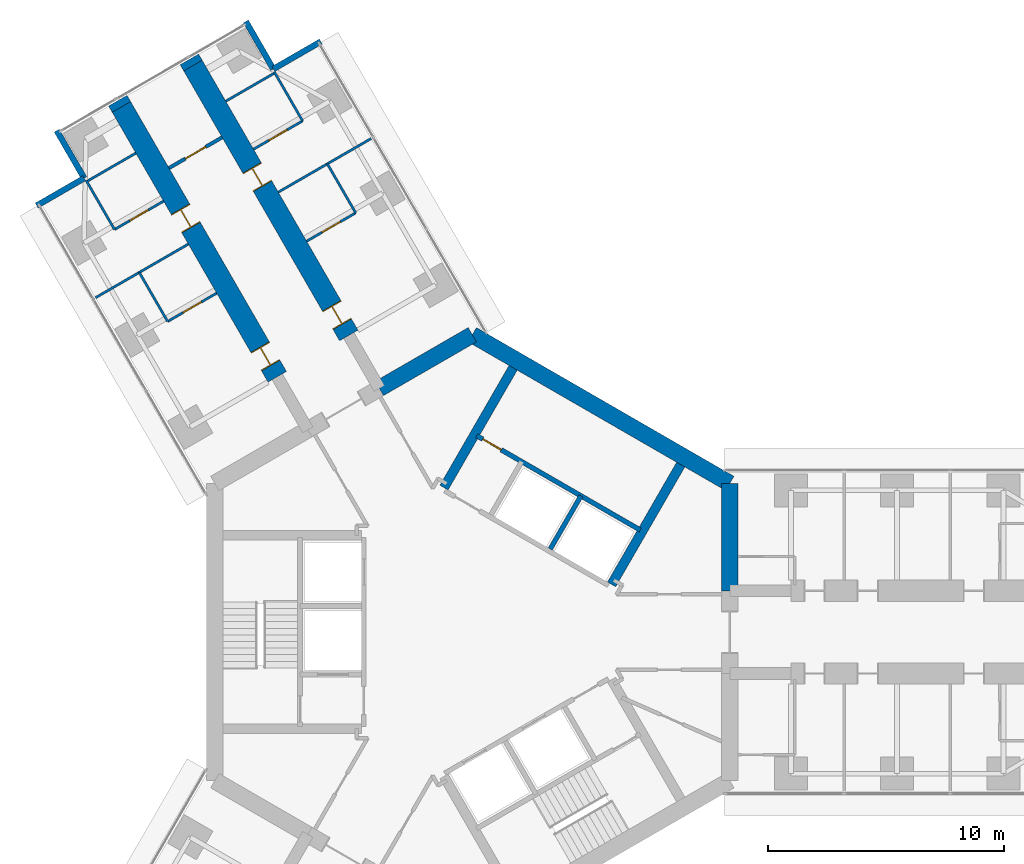
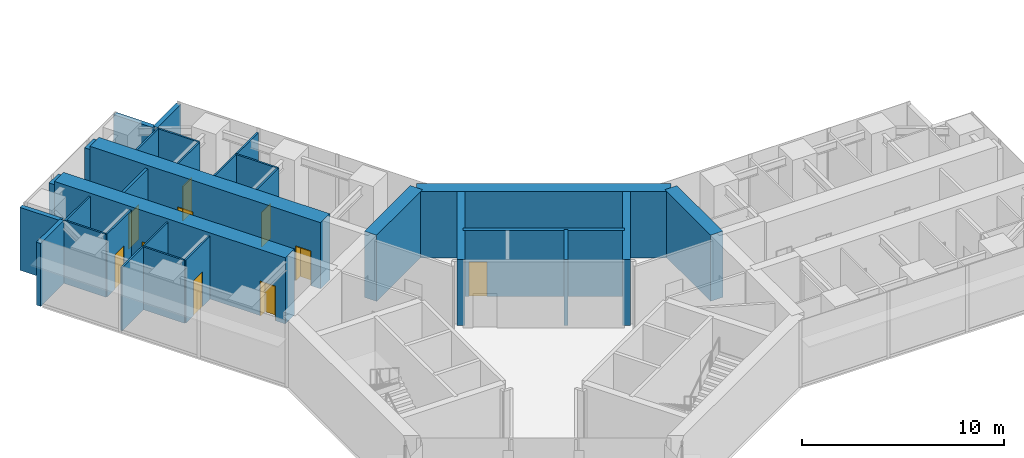
# One storey, part 19 of 25: 28 walls, 10 doors, 10 openings.
"""IFC4 building model written with IfcOpenShell, lengths in metres."""

import ifcopenshell
import ifcopenshell.guid

model = None  # the IFC model being written
_history = None  # IfcOwnerHistory: only IFC2X3 demands one
_inside = {}  # id of a spatial element -> (the spatial element, [elements in it])
_under = {}  # id of a project, library or spatial element -> (it, [spatial elements below it])
_declared = {}  # id of a project -> (the project, [libraries it declares])
_typed = {}  # id of a type object -> (the type object, [elements of that type])
_made_of = {}  # id of a material, layer set ... -> (it, [elements and type objects made of it])


def new_model(schema):
    """Start an empty IFC model of exactly this schema.

    Asked for "IFC4X3", IfcOpenShell would pick the latest addendum, in which some entities
    have other attributes; the version numbers below select the first issue.
    IFC2X3 requires an IfcOwnerHistory on every rooted entity: one is made here for all.
    """
    global model, _history
    if schema == "IFC4X3":
        model = ifcopenshell.file(schema_version=(4, 3, 0, 0))
    else:
        model = ifcopenshell.file(schema=schema)
    _inside.clear()
    _under.clear()
    _declared.clear()
    _typed.clear()
    _made_of.clear()
    _history = None
    if model.schema == "IFC2X3":
        org = make("IfcOrganization", Name="unknown")
        user = make(
            "IfcPersonAndOrganization",
            ThePerson=make("IfcPerson", FamilyName="unknown"),
            TheOrganization=org,
        )
        app = make(
            "IfcApplication",
            ApplicationDeveloper=org,
            Version="unknown",
            ApplicationFullName="unknown",
            ApplicationIdentifier="unknown",
        )
        _history = make(
            "IfcOwnerHistory",
            OwningUser=user,
            OwningApplication=app,
            ChangeAction="ADDED",
            CreationDate=0,
        )
    return model


def make(cls, **values):
    """One entity of the class cls with the attributes given. An attribute that is None is left unset."""
    return model.create_entity(
        cls, **{name: value for name, value in values.items() if value is not None}
    )


def rooted(cls, **values):
    """An entity with a GlobalId (a new one), such as an element, a storey or a relation."""
    return make(cls, GlobalId=ifcopenshell.guid.new(), OwnerHistory=_history, **values)


def si_unit(unit_type, name, prefix=None):
    """IfcSIUnit, for example si_unit("LENGTHUNIT", "METRE", prefix="MILLI")."""
    return make("IfcSIUnit", UnitType=unit_type, Prefix=prefix, Name=name)


def assignment(units):
    """IfcUnitAssignment: the units of a project."""
    return None if units is None else make("IfcUnitAssignment", Units=units)


def point(xyz):
    """IfcCartesianPoint."""
    return None if xyz is None else make("IfcCartesianPoint", Coordinates=xyz)


def direction(xyz):
    """IfcDirection."""
    return None if xyz is None else make("IfcDirection", DirectionRatios=xyz)


def frame(location, z_axis=None, x_axis=None):
    """IfcAxis2Placement3D, a coordinate frame: its origin and axes. An axis left out is left unset."""
    return make(
        "IfcAxis2Placement3D",
        Location=point(location),
        Axis=direction(z_axis),
        RefDirection=direction(x_axis),
    )


def frame_2d(location, x_axis=None):
    """IfcAxis2Placement2D, a coordinate frame in the plane: its origin and x axis."""
    return make(
        "IfcAxis2Placement2D", Location=point(location), RefDirection=direction(x_axis)
    )


def origin():
    """The frame at (0, 0, 0) with its axes left unset."""
    return frame((0.0, 0.0, 0.0))


def place(relative_to, where):
    """IfcLocalPlacement: puts the frame where relative to a parent placement (None: the world)."""
    return make(
        "IfcLocalPlacement", PlacementRelTo=relative_to, RelativePlacement=where
    )


def context(
    kind, dimensions, precision=None, world=None, true_north=None, identifier=None
):
    """IfcGeometricRepresentationContext, for example the 3D "Model" context."""
    return make(
        "IfcGeometricRepresentationContext",
        ContextIdentifier=identifier,
        ContextType=kind,
        CoordinateSpaceDimension=dimensions,
        Precision=precision,
        WorldCoordinateSystem=world,
        TrueNorth=true_north,
    )


def subcontext(parent, identifier, kind, view, scale=None):
    """IfcGeometricRepresentationSubContext, for example "Body" below "Model"."""
    return make(
        "IfcGeometricRepresentationSubContext",
        ContextIdentifier=identifier,
        ContextType=kind,
        ParentContext=parent,
        TargetScale=scale,
        TargetView=view,
    )


def project(units=None, contexts=None):
    """IfcProject with its units and contexts."""
    return rooted(
        "IfcProject",
        Name="project",
        RepresentationContexts=contexts,
        UnitsInContext=assignment(units),
    )


def spatial(cls, under=None, at=None, **own):
    """A site, building, storey or space (cls), placed at a placement, below another one or the project."""
    s = rooted(cls, ObjectPlacement=at, **own)
    if under is not None:
        _under.setdefault(under.id(), (under, []))[1].append(s)
    return s


def profile(cls, at=None, kind="AREA", **sizes):
    """A parametric profile (cls). Its sizes go by their IFC names, for example OverallWidth=200.0."""
    return make(cls, ProfileType=kind, Position=at, **sizes)


def rectangle(**sizes):
    """IfcRectangleProfileDef."""
    return profile("IfcRectangleProfileDef", **sizes)


def extrude(swept, where, along, depth):
    """IfcExtrudedAreaSolid: the profile swept, set in the frame where, extruded along a direction by depth."""
    return make(
        "IfcExtrudedAreaSolid",
        SweptArea=swept,
        Position=where,
        ExtrudedDirection=direction(along),
        Depth=depth,
    )


def shape(context_of_items, identifier, shape_type, items):
    """IfcShapeRepresentation: the items that make up one representation, for example the "Body"."""
    return make(
        "IfcShapeRepresentation",
        ContextOfItems=context_of_items,
        RepresentationIdentifier=identifier,
        RepresentationType=shape_type,
        Items=items,
    )


def material(Name=None, Category=None):
    """IfcMaterial."""
    return make("IfcMaterial", Name=Name, Category=Category)


def layer(
    of_material, thickness, ventilated=None, Name=None, Category=None, Priority=None
):
    """IfcMaterialLayer: one layer of a wall or slab, of a material (None: an air gap)."""
    return make(
        "IfcMaterialLayer",
        Material=of_material,
        LayerThickness=thickness,
        IsVentilated=ventilated,
        Name=Name,
        Category=Category,
        Priority=Priority,
    )


def layer_set(layers, Name=None):
    """IfcMaterialLayerSet."""
    return make("IfcMaterialLayerSet", MaterialLayers=layers, LayerSetName=Name)


def made_of(thing, what):
    """Note that an element or type object is made of a material, layer set ...; save() writes the relation."""
    if what is not None:
        _made_of.setdefault(what.id(), (what, []))[1].append(thing)
    return thing


def type_object(cls, material=None, **own):
    """A type object (cls), such as IfcWallType, which elements share."""
    return made_of(rooted(cls, **own), material)


def element(
    cls,
    number,
    at=None,
    inside=None,
    cuts=None,
    type_object=None,
    material=None,
    context=None,
    identifier="Body",
    shape_type=None,
    held_by="IfcProductDefinitionShape",
    body=None,
    shapes=None,
    **own,
):
    """One element of the class cls, such as IfcWall. Its Tag is "e" and its number.

    at: its placement. inside: the storey or other place that contains it. cuts: it is an
    opening in that element (IfcRelVoidsElement). A single representation is given by context,
    identifier, shape_type and body (its items); several are given by shapes. held_by: the class
    of the entity that holds the representations. save() writes the other relations.
    """
    e = rooted(cls, Tag="e%d" % number, ObjectPlacement=at, **own)
    if body is not None:
        shapes = [shape(context, identifier, shape_type, body)]
    if shapes is not None:
        e.Representation = make(held_by, Representations=shapes)
    if inside is not None:
        _inside.setdefault(inside.id(), (inside, []))[1].append(e)
    if cuts is not None:
        rooted(
            "IfcRelVoidsElement", RelatingBuildingElement=cuts, RelatedOpeningElement=e
        )
    if type_object is not None:
        _typed.setdefault(type_object.id(), (type_object, []))[1].append(e)
    return made_of(e, material)


def fill(opening, filler):
    """IfcRelFillsElement: the door or window that sits in an opening."""
    return rooted(
        "IfcRelFillsElement",
        RelatingOpeningElement=opening,
        RelatedBuildingElement=filler,
    )


def aggregate(whole, parts):
    """IfcRelAggregates: a whole, such as a stair, and the parts it consists of."""
    return rooted("IfcRelAggregates", RelatingObject=whole, RelatedObjects=parts)


def save(model, path):
    """Write the relations noted so far, then the file.

    IfcRelAggregates (storeys below a building ...), IfcRelContainedInSpatialStructure (elements
    in a storey), IfcRelDefinesByType, IfcRelAssociatesMaterial and IfcRelDeclares: one each for
    every whole, place, type object, material and project.
    """
    for whole, parts in _under.values():
        aggregate(whole, parts)
    for where, things in _inside.values():
        rooted(
            "IfcRelContainedInSpatialStructure",
            RelatedElements=things,
            RelatingStructure=where,
        )
    for kind, things in _typed.values():
        rooted("IfcRelDefinesByType", RelatedObjects=things, RelatingType=kind)
    for what, things in _made_of.values():
        rooted("IfcRelAssociatesMaterial", RelatedObjects=things, RelatingMaterial=what)
    for by, libraries in _declared.values():
        rooted("IfcRelDeclares", RelatingContext=by, RelatedDefinitions=libraries)
    model.write(path)


model = new_model("IFC4")

# Units and contexts
model_context = context("Model", 3, precision=1e-05, world=origin(), true_north=direction((0.0, 1.0)))
body_context = subcontext(model_context, "Body", "Model", "MODEL_VIEW")
ifc_project = project(units=[si_unit("LENGTHUNIT", "METRE"), si_unit("AREAUNIT", "SQUARE_METRE"), si_unit("VOLUMEUNIT", "CUBIC_METRE"), si_unit("PLANEANGLEUNIT", "RADIAN"), si_unit("MASSUNIT", "GRAM", prefix="KILO")], contexts=[model_context])

# Site, building, storey
site_placement = place(None, origin())
site = spatial("IfcSite", under=ifc_project, at=site_placement, CompositionType="ELEMENT")
building_placement = place(site_placement, origin())
building = spatial("IfcBuilding", under=site, at=building_placement, Name="Upepo Twin Towers", CompositionType="ELEMENT")
storey_placement = place(building_placement, frame((0.0, 0.0, 76.5)))
storey = spatial("IfcBuildingStorey", under=building, at=storey_placement, Name="L18", CompositionType="ELEMENT", Elevation=76.5)

# Walls
ifc_material_1 = material(Name="Dense concrete blockwork", Category="masonry")
ifc_layer_1 = layer(ifc_material_1, 0.89990234375)
ifc_layer_set_1 = layer_set([ifc_layer_1], Name="Buttress closer 900, blockwork with fire-stopping to the curtain wall")
wall_type_1 = type_object("IfcWallType", Name="Buttress closer 900, blockwork with fire-stopping to the curtain wall", PredefinedType="PARTITIONING", material=ifc_layer_set_1)
for number, where, z_axis, x_axis, name in (
    (1, (-14.865478515625, 22.247802734375, 0.0), (0.0, 0.0, 1.0), (-0.499949632511, 0.866054481515, 0.0), "T1 L18 wing B buttress closer L"),
    (2, (-11.83447265625, 23.997802734375, 0.0), (0.0, 0.0, 1.0), (-0.499949632511, 0.866054481515, 0.0), "T1 L18 wing B buttress closer R"),
):
    element("IfcWall", number, at=place(storey_placement, frame(where, z_axis=z_axis, x_axis=x_axis)), inside=storey, type_object=wall_type_1, Name=name, PredefinedType="PARTITIONING", context=body_context, shape_type="SweptSolid", body=[
        extrude(rectangle(XDim=0.31005859375, YDim=0.89990234375, at=frame_2d((0.155029296875, 0.0))), origin(), (0.0, 0.0, 1.0), 3.800048828125),
    ])

# Wall, openings, doors
ifc_material_2 = material(Name="Concrete C60/75", Category="concrete")
ifc_layer_2 = layer(ifc_material_2, 0.89990234375)
ifc_layer_set_2 = layer_set([ifc_layer_2], Name="Concrete C60/75")
wall_type_2 = type_object("IfcWallType", Name="Buttress wall 900 RC", PredefinedType="SHEAR", material=ifc_layer_set_2)
wall_1_placement = place(storey_placement, frame((-8.265625, 10.81640625, 0.0), z_axis=(0.0, 0.0, 1.0), x_axis=(-0.499996231654, 0.866027579429, 0.0)))
wall_1 = element("IfcWall", 3, at=wall_1_placement, inside=storey, type_object=wall_type_2, Name="T1 wing B buttress wall L part 2", PredefinedType="SHEAR", context=body_context, shape_type="SweptSolid", body=[
    extrude(rectangle(XDim=13.19970703125, YDim=0.89990234375, at=frame_2d((6.599853515625, 0.0))), origin(), (0.0, 0.0, 1.0), 4.0),
])
opening_1_placement = place(wall_1_placement, frame((0.550048828125, 0.0, 0.0)))
opening_1 = element("IfcOpeningElement", 4, at=opening_1_placement, cuts=wall_1, Name="Opening D14", PredefinedType="OPENING", context=body_context, shape_type="SweptSolid", body=[
    extrude(rectangle(XDim=0.89990234375, YDim=2.10009765625, at=frame_2d((0.449951171875, 1.050048828125))), frame((0.0, 0.4599609375, 0.0), z_axis=(0.0, -1.0, 0.0), x_axis=(1.0, 0.0, 0.0)), (0.0, 0.0, 1.0), 0.919921875),
])
opening_2_placement = place(wall_1_placement, frame((7.300048828125, 0.0, 0.0)))
opening_2 = element("IfcOpeningElement", 5, at=opening_2_placement, cuts=wall_1, Name="Opening D14", PredefinedType="OPENING", context=body_context, shape_type="SweptSolid", body=[
    extrude(rectangle(XDim=0.89990234375, YDim=2.10009765625, at=frame_2d((0.449951171875, 1.050048828125))), frame((0.0, 0.4599609375, 0.0), z_axis=(0.0, -1.0, 0.0), x_axis=(1.0, 0.0, 0.0)), (0.0, 0.0, 1.0), 0.919921875),
])
ifc_material_3 = material(Name="Timber doorset", Category="wood")
door_type_1 = type_object("IfcDoorType", Name="Office door 900 FD30", OperationType="SINGLE_SWING_LEFT", PredefinedType="DOOR", material=ifc_material_3)
door_1_placement = place(opening_1_placement, origin())
door_1 = element("IfcDoor", 6, at=door_1_placement, inside=storey, type_object=door_type_1, Name="T1 L18 open-plan staff office door", OperationType="SINGLE_SWING_LEFT", OverallHeight=2.10009765625, OverallWidth=0.89990234375, PredefinedType="DOOR", context=body_context, shape_type="SweptSolid", body=[
    extrude(rectangle(XDim=0.81990234375, YDim=2.06009765625, at=frame_2d((0.449951171875, 1.030029296875))), frame((0.0, 0.02490234375, 0.0), z_axis=(0.0, -1.0, 0.0), x_axis=(1.0, 0.0, 0.0)), (0.0, 0.0, 1.0), 0.050048828125),
    extrude(rectangle(XDim=0.04, YDim=2.10009765625, at=frame_2d((0.02001953125, 1.050048828125))), frame((0.0, 0.44970703125, 0.0), z_axis=(0.0, -1.0, 0.0), x_axis=(1.0, 0.0, 0.0)), (0.0, 0.0, 1.0), 0.8994140625),
    extrude(rectangle(XDim=0.04, YDim=2.10009765625, at=frame_2d((0.8798828125, 1.050048828125))), frame((0.0, 0.44970703125, 0.0), z_axis=(0.0, -1.0, 0.0), x_axis=(1.0, 0.0, 0.0)), (0.0, 0.0, 1.0), 0.8994140625),
    extrude(rectangle(XDim=0.81990234375, YDim=0.04, at=frame_2d((0.449951171875, 2.080078125))), frame((0.0, 0.44970703125, 0.0), z_axis=(0.0, -1.0, 0.0), x_axis=(1.0, 0.0, 0.0)), (0.0, 0.0, 1.0), 0.8994140625),
])
fill(opening_1, door_1)
door_2_placement = place(opening_2_placement, origin())
door_2 = element("IfcDoor", 7, at=door_2_placement, inside=storey, type_object=door_type_1, Name="T1 L18 staff office door", OperationType="SINGLE_SWING_RIGHT", OverallHeight=2.10009765625, OverallWidth=0.89990234375, PredefinedType="DOOR", context=body_context, shape_type="SweptSolid", body=[
    extrude(rectangle(XDim=0.81990234375, YDim=2.06009765625, at=frame_2d((0.449951171875, 1.030029296875))), frame((0.0, 0.02490234375, 0.0), z_axis=(0.0, -1.0, 0.0), x_axis=(1.0, 0.0, 0.0)), (0.0, 0.0, 1.0), 0.050048828125),
    extrude(rectangle(XDim=0.04, YDim=2.10009765625, at=frame_2d((0.02001953125, 1.050048828125))), frame((0.0, 0.44970703125, 0.0), z_axis=(0.0, -1.0, 0.0), x_axis=(1.0, 0.0, 0.0)), (0.0, 0.0, 1.0), 0.8994140625),
    extrude(rectangle(XDim=0.04, YDim=2.10009765625, at=frame_2d((0.8798828125, 1.050048828125))), frame((0.0, 0.44970703125, 0.0), z_axis=(0.0, -1.0, 0.0), x_axis=(1.0, 0.0, 0.0)), (0.0, 0.0, 1.0), 0.8994140625),
    extrude(rectangle(XDim=0.81990234375, YDim=0.04, at=frame_2d((0.449951171875, 2.080078125))), frame((0.0, 0.44970703125, 0.0), z_axis=(0.0, -1.0, 0.0), x_axis=(1.0, 0.0, 0.0)), (0.0, 0.0, 1.0), 0.8994140625),
])
fill(opening_2, door_2)

wall_2_placement = place(storey_placement, frame((-5.234375, 12.56640625, 0.0), z_axis=(0.0, 0.0, 1.0), x_axis=(-0.500010103361, 0.866019570528, 0.0)))
wall_2 = element("IfcWall", 8, at=wall_2_placement, inside=storey, type_object=wall_type_2, Name="T1 wing B buttress wall R part 2", PredefinedType="SHEAR", context=body_context, shape_type="SweptSolid", body=[
    extrude(rectangle(XDim=13.199951171875, YDim=0.89990234375, at=frame_2d((6.60009765625, 0.0))), origin(), (0.0, 0.0, 1.0), 4.0),
])
opening_3_placement = place(wall_2_placement, frame((0.550048828125, 0.0, 0.0)))
opening_3 = element("IfcOpeningElement", 9, at=opening_3_placement, cuts=wall_2, Name="Opening D14", PredefinedType="OPENING", context=body_context, shape_type="SweptSolid", body=[
    extrude(rectangle(XDim=0.89990234375, YDim=2.10009765625, at=frame_2d((0.449951171875, 1.050048828125))), frame((0.0, 0.4599609375, 0.0), z_axis=(0.0, -1.0, 0.0), x_axis=(1.0, 0.0, 0.0)), (0.0, 0.0, 1.0), 0.919921875),
])
opening_4_placement = place(wall_2_placement, frame((7.300048828125, 0.0, 0.0)))
opening_4 = element("IfcOpeningElement", 10, at=opening_4_placement, cuts=wall_2, Name="Opening D14", PredefinedType="OPENING", context=body_context, shape_type="SweptSolid", body=[
    extrude(rectangle(XDim=0.89990234375, YDim=2.10009765625, at=frame_2d((0.449951171875, 1.050048828125))), frame((0.0, 0.4599609375, 0.0), z_axis=(0.0, -1.0, 0.0), x_axis=(1.0, 0.0, 0.0)), (0.0, 0.0, 1.0), 0.919921875),
])
door_3_placement = place(opening_3_placement, origin())
door_3 = element("IfcDoor", 11, at=door_3_placement, inside=storey, type_object=door_type_1, Name="T1 L18 open-plan staff office door", OperationType="SINGLE_SWING_LEFT", OverallHeight=2.10009765625, OverallWidth=0.89990234375, PredefinedType="DOOR", context=body_context, shape_type="SweptSolid", body=[
    extrude(rectangle(XDim=0.81990234375, YDim=2.06009765625, at=frame_2d((0.449951171875, 1.030029296875))), frame((0.0, 0.02490234375, 0.0), z_axis=(0.0, -1.0, 0.0), x_axis=(1.0, 0.0, 0.0)), (0.0, 0.0, 1.0), 0.050048828125),
    extrude(rectangle(XDim=0.04, YDim=2.10009765625, at=frame_2d((0.02001953125, 1.050048828125))), frame((0.0, 0.44970703125, 0.0), z_axis=(0.0, -1.0, 0.0), x_axis=(1.0, 0.0, 0.0)), (0.0, 0.0, 1.0), 0.8994140625),
    extrude(rectangle(XDim=0.04, YDim=2.10009765625, at=frame_2d((0.8798828125, 1.050048828125))), frame((0.0, 0.44970703125, 0.0), z_axis=(0.0, -1.0, 0.0), x_axis=(1.0, 0.0, 0.0)), (0.0, 0.0, 1.0), 0.8994140625),
    extrude(rectangle(XDim=0.81990234375, YDim=0.04, at=frame_2d((0.449951171875, 2.080078125))), frame((0.0, 0.44970703125, 0.0), z_axis=(0.0, -1.0, 0.0), x_axis=(1.0, 0.0, 0.0)), (0.0, 0.0, 1.0), 0.8994140625),
])
fill(opening_3, door_3)
door_4_placement = place(opening_4_placement, origin())
door_4 = element("IfcDoor", 12, at=door_4_placement, inside=storey, type_object=door_type_1, Name="T1 L18 postgraduate office door", OperationType="SINGLE_SWING_RIGHT", OverallHeight=2.10009765625, OverallWidth=0.89990234375, PredefinedType="DOOR", context=body_context, shape_type="SweptSolid", body=[
    extrude(rectangle(XDim=0.81990234375, YDim=2.06009765625, at=frame_2d((0.449951171875, 1.030029296875))), frame((0.0, 0.02490234375, 0.0), z_axis=(0.0, -1.0, 0.0), x_axis=(1.0, 0.0, 0.0)), (0.0, 0.0, 1.0), 0.050048828125),
    extrude(rectangle(XDim=0.04, YDim=2.10009765625, at=frame_2d((0.02001953125, 1.050048828125))), frame((0.0, 0.44970703125, 0.0), z_axis=(0.0, -1.0, 0.0), x_axis=(1.0, 0.0, 0.0)), (0.0, 0.0, 1.0), 0.8994140625),
    extrude(rectangle(XDim=0.04, YDim=2.10009765625, at=frame_2d((0.8798828125, 1.050048828125))), frame((0.0, 0.44970703125, 0.0), z_axis=(0.0, -1.0, 0.0), x_axis=(1.0, 0.0, 0.0)), (0.0, 0.0, 1.0), 0.8994140625),
    extrude(rectangle(XDim=0.81990234375, YDim=0.04, at=frame_2d((0.449951171875, 2.080078125))), frame((0.0, 0.44970703125, 0.0), z_axis=(0.0, -1.0, 0.0), x_axis=(1.0, 0.0, 0.0)), (0.0, 0.0, 1.0), 0.8994140625),
])
fill(opening_4, door_4)

# Walls
ifc_material_4 = material(Name="Concrete C60/75", Category="concrete")
ifc_layer_3 = layer(ifc_material_4, 0.699951171875)
ifc_layer_set_3 = layer_set([ifc_layer_3], Name="Concrete C60/75")
wall_type_3 = type_object("IfcWallType", Name="Core wall 700 RC", PredefinedType="SHEAR", material=ifc_layer_set_3)
wall_3_placement = place(storey_placement, frame((10.908447265625, 1.75, 0.0), z_axis=(0.0, 0.0, 1.0), x_axis=(0.0, 1.0, 0.0)))
element("IfcWall", 13, at=wall_3_placement, inside=storey, type_object=wall_type_3, Name="T1 core wall 000 L", PredefinedType="SHEAR", context=body_context, shape_type="SweptSolid", body=[
    extrude(rectangle(XDim=4.5478515625, YDim=0.699951171875, at=frame_2d((2.27392578125, 0.0))), origin(), (0.0, 0.0, 1.0), 4.0),
])
wall_4_placement = place(storey_placement, frame((10.908447265625, 6.2978515625, 0.0), z_axis=(0.0, 0.0, 1.0), x_axis=(-0.866021940709, 0.500005998175, 0.0)))
element("IfcWall", 14, at=wall_4_placement, inside=storey, type_object=wall_type_3, Name="T1 core wall 060", PredefinedType="SHEAR", context=body_context, shape_type="SweptSolid", body=[
    extrude(rectangle(XDim=12.595947265625, YDim=0.699951171875, at=frame_2d((6.2978515625, 0.0))), origin(), (0.0, 0.0, 1.0), 4.0),
])
wall_5_placement = place(storey_placement, frame((0.0, 12.595947265625, 0.0), z_axis=(0.0, 0.0, 1.0), x_axis=(-0.866011268655, -0.500024481964, 0.0)))
element("IfcWall", 15, at=wall_5_placement, inside=storey, type_object=wall_type_3, Name="T1 core wall 120 R", PredefinedType="SHEAR", context=body_context, shape_type="SweptSolid", body=[
    extrude(rectangle(XDim=4.548095703125, YDim=0.699951171875, at=frame_2d((2.27392578125, 0.0))), origin(), (0.0, 0.0, 1.0), 4.0),
])
ifc_material_5 = material(Name="Blockwork with anodised aluminium cladding", Category="masonry")
ifc_layer_4 = layer(ifc_material_5, 0.25)
ifc_layer_set_4 = layer_set([ifc_layer_4], Name="Notch cladding wall 250, pale metal")
wall_type_4 = type_object("IfcWallType", Name="Notch cladding wall 250, pale metal", PredefinedType="STANDARD", material=ifc_layer_set_4)
for number, where, z_axis, x_axis, name in (
    (16, (-18.456298828125, 18.0673828125, 0.0), (0.0, 0.0, 1.0), (0.865998469481, 0.500046648681, 0.0), "T1 L18 wing B notch wall L1"),
    (17, (-16.44287109375, 19.22998046875, 0.0), (0.0, 0.0, 1.0), (-0.500046648681, 0.865998469481, 0.0), "T1 L18 wing B notch wall L2"),
    (18, (-6.418701171875, 25.017333984375, 0.0), (0.0, 0.0, 1.0), (-0.866043940782, -0.499967891604, 0.0), "T1 L18 wing B notch wall R1"),
    (19, (-8.43212890625, 23.85498046875, 0.0), (0.0, 0.0, 1.0), (-0.500046648681, 0.865998469481, 0.0), "T1 L18 wing B notch wall R2"),
):
    element("IfcWall", number, at=place(storey_placement, frame(where, z_axis=z_axis, x_axis=x_axis)), inside=storey, type_object=wall_type_4, Name=name, PredefinedType="STANDARD", context=body_context, shape_type="SweptSolid", body=[
        extrude(rectangle(XDim=2.324951171875, YDim=0.25, at=frame_2d((1.16259765625, 0.0))), origin(), (0.0, 0.0, 1.0), 3.800048828125),
    ])
ifc_material_6 = material(Name="Gypsum board on steel studs", Category="steel")
ifc_layer_5 = layer(ifc_material_6, 0.10009765625)
ifc_layer_set_5 = layer_set([ifc_layer_5], Name="Office partition 100 stud")
wall_type_5 = type_object("IfcWallType", Name="Office partition 100 stud", PredefinedType="PARTITIONING", material=ifc_layer_set_5)
wall_6_placement = place(storey_placement, frame((-12.0302734375, 16.43701171875, 0.0), z_axis=(0.0, 0.0, 1.0), x_axis=(-0.866035472144, -0.499982560684, 0.0)))
element("IfcWall", 20, at=wall_6_placement, inside=storey, type_object=wall_type_5, Name="T1 partition BL at 20.25", PredefinedType="PARTITIONING", context=body_context, shape_type="SweptSolid", body=[
    extrude(rectangle(XDim=4.550048828125, YDim=0.10009765625, at=frame_2d((2.27490234375, 0.0))), origin(), (0.0, 0.0, 1.0), 3.800048828125),
])
wall_7_placement = place(storey_placement, frame((-12.90869140625, 13.158447265625, 0.0), z_axis=(0.0, 0.0, 1.0), x_axis=(-0.499957262057, 0.866050077142, 0.0)))
element("IfcWall", 21, at=wall_7_placement, inside=storey, type_object=wall_type_5, Name="T1 inner room partition BL at 17.85", PredefinedType="PARTITIONING", context=body_context, shape_type="SweptSolid", body=[
    extrude(rectangle(XDim=2.400146484375, YDim=0.10009765625, at=frame_2d((1.2001953125, 0.0))), origin(), (0.0, 0.0, 1.0), 3.800048828125),
])

# Wall, opening, door
wall_8_placement = place(storey_placement, frame((-10.830322265625, 14.358642578125, 0.0), z_axis=(0.0, 0.0, 1.0), x_axis=(-0.865980596518, -0.500077600433, 0.0)))
wall_8 = element("IfcWall", 22, at=wall_8_placement, inside=storey, type_object=wall_type_5, Name="T1 inner room partition BL end at 17.85", PredefinedType="PARTITIONING", context=body_context, shape_type="SweptSolid", body=[
    extrude(rectangle(XDim=2.39990234375, YDim=0.10009765625, at=frame_2d((1.199951171875, 0.0))), origin(), (0.0, 0.0, 1.0), 3.800048828125),
])
opening_5_placement = place(wall_8_placement, frame((0.75, 0.0, 0.0)))
opening_5 = element("IfcOpeningElement", 23, at=opening_5_placement, cuts=wall_8, Name="Opening D14", PredefinedType="OPENING", context=body_context, shape_type="SweptSolid", body=[
    extrude(rectangle(XDim=0.89990234375, YDim=2.10009765625, at=frame_2d((0.449951171875, 1.050048828125))), frame((0.0, 0.06005859375, 0.0), z_axis=(0.0, -1.0, 0.0), x_axis=(1.0, 0.0, 0.0)), (0.0, 0.0, 1.0), 0.1201171875),
])
door_5_placement = place(opening_5_placement, origin())
door_5 = element("IfcDoor", 24, at=door_5_placement, inside=storey, type_object=door_type_1, Name="T1 L18 inner room door", OperationType="SINGLE_SWING_LEFT", OverallHeight=2.10009765625, OverallWidth=0.89990234375, PredefinedType="DOOR", context=body_context, shape_type="SweptSolid", body=[
    extrude(rectangle(XDim=0.89990234375, YDim=2.10009765625, at=frame_2d((0.449951171875, 1.050048828125))), frame((0.0, 0.02490234375, 0.0), z_axis=(0.0, -1.0, 0.0), x_axis=(1.0, 0.0, 0.0)), (0.0, 0.0, 1.0), 0.050048828125),
])
fill(opening_5, door_5)

# Wall
wall_9_placement = place(storey_placement, frame((-15.15869140625, 17.0556640625, 0.0), z_axis=(0.0, 0.0, 1.0), x_axis=(-0.500001309137, 0.866024647952, 0.0)))
element("IfcWall", 25, at=wall_9_placement, inside=storey, type_object=wall_type_5, Name="T1 inner room partition BL at 22.35", PredefinedType="PARTITIONING", context=body_context, shape_type="SweptSolid", body=[
    extrude(rectangle(XDim=2.39990234375, YDim=0.10009765625, at=frame_2d((1.199951171875, 0.0))), origin(), (0.0, 0.0, 1.0), 3.800048828125),
])

# Wall, opening, door
wall_10_placement = place(storey_placement, frame((-13.080322265625, 18.255615234375, 0.0), z_axis=(0.0, 0.0, 1.0), x_axis=(-0.866024647952, -0.500001309137, 0.0)))
wall_10 = element("IfcWall", 26, at=wall_10_placement, inside=storey, type_object=wall_type_5, Name="T1 inner room partition BL end at 22.35", PredefinedType="PARTITIONING", context=body_context, shape_type="SweptSolid", body=[
    extrude(rectangle(XDim=2.39990234375, YDim=0.10009765625, at=frame_2d((1.199951171875, 0.0))), origin(), (0.0, 0.0, 1.0), 3.800048828125),
])
opening_6_placement = place(wall_10_placement, frame((0.75, 0.0, 0.0)))
opening_6 = element("IfcOpeningElement", 27, at=opening_6_placement, cuts=wall_10, Name="Opening D14", PredefinedType="OPENING", context=body_context, shape_type="SweptSolid", body=[
    extrude(rectangle(XDim=0.89990234375, YDim=2.10009765625, at=frame_2d((0.449951171875, 1.050048828125))), frame((0.0, 0.06005859375, 0.0), z_axis=(0.0, -1.0, 0.0), x_axis=(1.0, 0.0, 0.0)), (0.0, 0.0, 1.0), 0.1201171875),
])
door_6_placement = place(opening_6_placement, origin())
door_6 = element("IfcDoor", 28, at=door_6_placement, inside=storey, type_object=door_type_1, Name="T1 L18 inner room door", OperationType="SINGLE_SWING_LEFT", OverallHeight=2.10009765625, OverallWidth=0.89990234375, PredefinedType="DOOR", context=body_context, shape_type="SweptSolid", body=[
    extrude(rectangle(XDim=0.89990234375, YDim=2.10009765625, at=frame_2d((0.449951171875, 1.050048828125))), frame((0.0, 0.02490234375, 0.0), z_axis=(0.0, -1.0, 0.0), x_axis=(1.0, 0.0, 0.0)), (0.0, 0.0, 1.0), 0.050048828125),
])
fill(opening_6, door_6)

# Walls
wall_11_placement = place(storey_placement, frame((-14.25537109375, 20.290771484375, 0.0), z_axis=(0.0, 0.0, 1.0), x_axis=(-0.866024647952, -0.500001309137, 0.0)))
element("IfcWall", 29, at=wall_11_placement, inside=storey, type_object=wall_type_5, Name="T1 inner room partition BL end at 24.75", PredefinedType="PARTITIONING", context=body_context, shape_type="SweptSolid", body=[
    extrude(rectangle(XDim=2.39990234375, YDim=0.10009765625, at=frame_2d((1.199951171875, 0.0))), origin(), (0.0, 0.0, 1.0), 3.800048828125),
])
wall_12_placement = place(storey_placement, frame((-8.2197265625, 18.636962890625, 0.0), z_axis=(0.0, 0.0, 1.0), x_axis=(0.866012237902, 0.500022803284, 0.0)))
element("IfcWall", 30, at=wall_12_placement, inside=storey, type_object=wall_type_5, Name="T1 partition BR at 20.25", PredefinedType="PARTITIONING", context=body_context, shape_type="SweptSolid", body=[
    extrude(rectangle(XDim=4.550048828125, YDim=0.10009765625, at=frame_2d((2.27490234375, 0.0))), origin(), (0.0, 0.0, 1.0), 3.800048828125),
])
wall_13_placement = place(storey_placement, frame((-4.941162109375, 17.758544921875, 0.0), z_axis=(0.0, 0.0, 1.0), x_axis=(-0.500077600433, 0.865980596518, 0.0)))
element("IfcWall", 31, at=wall_13_placement, inside=storey, type_object=wall_type_5, Name="T1 inner room partition BR at 17.85", PredefinedType="PARTITIONING", context=body_context, shape_type="SweptSolid", body=[
    extrude(rectangle(XDim=2.39990234375, YDim=0.10009765625, at=frame_2d((1.199951171875, 0.0))), origin(), (0.0, 0.0, 1.0), 3.800048828125),
])

# Wall, opening, door
wall_14_placement = place(storey_placement, frame((-7.019775390625, 16.55859375, 0.0), z_axis=(0.0, 0.0, 1.0), x_axis=(0.866050077142, 0.499957262057, 0.0)))
wall_14 = element("IfcWall", 32, at=wall_14_placement, inside=storey, type_object=wall_type_5, Name="T1 inner room partition BR end at 17.85", PredefinedType="PARTITIONING", context=body_context, shape_type="SweptSolid", body=[
    extrude(rectangle(XDim=2.400146484375, YDim=0.10009765625, at=frame_2d((1.2001953125, 0.0))), origin(), (0.0, 0.0, 1.0), 3.800048828125),
])
opening_7_placement = place(wall_14_placement, frame((0.75, 0.0, 0.0)))
opening_7 = element("IfcOpeningElement", 33, at=opening_7_placement, cuts=wall_14, Name="Opening D14", PredefinedType="OPENING", context=body_context, shape_type="SweptSolid", body=[
    extrude(rectangle(XDim=0.89990234375, YDim=2.10009765625, at=frame_2d((0.449951171875, 1.050048828125))), frame((0.0, 0.06005859375, 0.0), z_axis=(0.0, -1.0, 0.0), x_axis=(1.0, 0.0, 0.0)), (0.0, 0.0, 1.0), 0.1201171875),
])
door_7_placement = place(opening_7_placement, origin())
door_7 = element("IfcDoor", 34, at=door_7_placement, inside=storey, type_object=door_type_1, Name="T1 L18 inner room door", OperationType="SINGLE_SWING_LEFT", OverallHeight=2.10009765625, OverallWidth=0.89990234375, PredefinedType="DOOR", context=body_context, shape_type="SweptSolid", body=[
    extrude(rectangle(XDim=0.89990234375, YDim=2.10009765625, at=frame_2d((0.449951171875, 1.050048828125))), frame((0.0, 0.02490234375, 0.0), z_axis=(0.0, -1.0, 0.0), x_axis=(1.0, 0.0, 0.0)), (0.0, 0.0, 1.0), 0.050048828125),
])
fill(opening_7, door_7)

# Wall
wall_15_placement = place(storey_placement, frame((-7.191162109375, 21.65576171875, 0.0), z_axis=(0.0, 0.0, 1.0), x_axis=(-0.500077600433, 0.865980596518, 0.0)))
element("IfcWall", 35, at=wall_15_placement, inside=storey, type_object=wall_type_5, Name="T1 inner room partition BR at 22.35", PredefinedType="PARTITIONING", context=body_context, shape_type="SweptSolid", body=[
    extrude(rectangle(XDim=2.39990234375, YDim=0.10009765625, at=frame_2d((1.199951171875, 0.0))), origin(), (0.0, 0.0, 1.0), 3.800048828125),
])

# Wall, opening, door
wall_16_placement = place(storey_placement, frame((-9.269775390625, 20.45556640625, 0.0), z_axis=(0.0, 0.0, 1.0), x_axis=(0.866006032174, 0.500033551112, 0.0)))
wall_16 = element("IfcWall", 36, at=wall_16_placement, inside=storey, type_object=wall_type_5, Name="T1 inner room partition BR end at 22.35", PredefinedType="PARTITIONING", context=body_context, shape_type="SweptSolid", body=[
    extrude(rectangle(XDim=2.400146484375, YDim=0.10009765625, at=frame_2d((1.2001953125, 0.0))), origin(), (0.0, 0.0, 1.0), 3.800048828125),
])
opening_8_placement = place(wall_16_placement, frame((0.75, 0.0, 0.0)))
opening_8 = element("IfcOpeningElement", 37, at=opening_8_placement, cuts=wall_16, Name="Opening D14", PredefinedType="OPENING", context=body_context, shape_type="SweptSolid", body=[
    extrude(rectangle(XDim=0.89990234375, YDim=2.10009765625, at=frame_2d((0.449951171875, 1.050048828125))), frame((0.0, 0.06005859375, 0.0), z_axis=(0.0, -1.0, 0.0), x_axis=(1.0, 0.0, 0.0)), (0.0, 0.0, 1.0), 0.1201171875),
])
door_8_placement = place(opening_8_placement, origin())
door_8 = element("IfcDoor", 38, at=door_8_placement, inside=storey, type_object=door_type_1, Name="T1 L18 inner room door", OperationType="SINGLE_SWING_LEFT", OverallHeight=2.10009765625, OverallWidth=0.89990234375, PredefinedType="DOOR", context=body_context, shape_type="SweptSolid", body=[
    extrude(rectangle(XDim=0.89990234375, YDim=2.10009765625, at=frame_2d((0.449951171875, 1.050048828125))), frame((0.0, 0.02490234375, 0.0), z_axis=(0.0, -1.0, 0.0), x_axis=(1.0, 0.0, 0.0)), (0.0, 0.0, 1.0), 0.050048828125),
])
fill(opening_8, door_8)

# Walls
wall_17_placement = place(storey_placement, frame((-10.44482421875, 22.49072265625, 0.0), z_axis=(0.0, 0.0, 1.0), x_axis=(0.866006032174, 0.500033551112, 0.0)))
element("IfcWall", 39, at=wall_17_placement, inside=storey, type_object=wall_type_5, Name="T1 inner room partition BR end at 24.75", PredefinedType="PARTITIONING", context=body_context, shape_type="SweptSolid", body=[
    extrude(rectangle(XDim=2.400146484375, YDim=0.10009765625, at=frame_2d((1.2001953125, 0.0))), origin(), (0.0, 0.0, 1.0), 3.800048828125),
])
ifc_material_7 = material(Name="Concrete C40/50", Category="concrete")
ifc_layer_6 = layer(ifc_material_7, 0.199951171875)
ifc_layer_set_6 = layer_set([ifc_layer_6], Name="Concrete C40/50")
wall_type_6 = type_object("IfcWallType", Name="Shaft wall 200 RC", PredefinedType="SHEAR", material=ifc_layer_set_6)
wall_18_placement = place(storey_placement, frame((3.302734375, 3.520263671875, 0.0), z_axis=(0.0, 0.0, 1.0), x_axis=(0.499936506574, 0.866062058628, 0.0)))
element("IfcWall", 40, at=wall_18_placement, inside=storey, type_object=wall_type_6, Name="T1 core W60 shaft divider", PredefinedType="SHEAR", context=body_context, shape_type="SweptSolid", body=[
    extrude(rectangle(XDim=2.599853515625, YDim=0.199951171875, at=frame_2d((1.2998046875, 0.0))), origin(), (0.0, 0.0, 1.0), 4.0),
])

# Wall, opening, door
wall_19_placement = place(storey_placement, frame((7.114013671875, 4.322021484375, 0.0), z_axis=(0.0, 0.0, 1.0), x_axis=(-0.866026010844, 0.49999894854, 0.0)))
wall_19 = element("IfcWall", 41, at=wall_19_placement, inside=storey, type_object=wall_type_6, Name="T1 core W60 stair wall", PredefinedType="SHEAR", context=body_context, shape_type="SweptSolid", body=[
    extrude(rectangle(XDim=8.0, YDim=0.199951171875, at=frame_2d((4.0, 0.0))), origin(), (0.0, 0.0, 1.0), 4.0),
])
opening_9_placement = place(wall_19_placement, frame((6.800048828125, 0.0, 0.0)))
opening_9 = element("IfcOpeningElement", 42, at=opening_9_placement, cuts=wall_19, Name="Opening D9", PredefinedType="OPENING", context=body_context, shape_type="SweptSolid", body=[
    extrude(rectangle(XDim=0.89990234375, YDim=2.10009765625, at=frame_2d((0.449951171875, 1.050048828125))), frame((0.0, 0.10986328125, 0.0), z_axis=(0.0, -1.0, 0.0), x_axis=(1.0, 0.0, 0.0)), (0.0, 0.0, 1.0), 0.219970703125),
])
ifc_material_8 = material(Name="Timber doorset", Category="wood")
door_type_2 = type_object("IfcDoorType", Name="Riser door 900 FD60", OperationType="SINGLE_SWING_LEFT", PredefinedType="DOOR", material=ifc_material_8)
door_9_placement = place(opening_9_placement, origin())
door_9 = element("IfcDoor", 43, at=door_9_placement, inside=storey, type_object=door_type_2, Name="T1 L18 riser door", OperationType="SINGLE_SWING_RIGHT", OverallHeight=2.10009765625, OverallWidth=0.89990234375, PredefinedType="DOOR", context=body_context, shape_type="SweptSolid", body=[
    extrude(rectangle(XDim=0.89990234375, YDim=2.10009765625, at=frame_2d((0.449951171875, 1.050048828125))), frame((0.0, 0.02490234375, 0.0), z_axis=(0.0, -1.0, 0.0), x_axis=(1.0, 0.0, 0.0)), (0.0, 0.0, 1.0), 0.050048828125),
])
fill(opening_9, door_9)

# Walls
ifc_material_9 = material(Name="Concrete C40/50", Category="concrete")
ifc_layer_7 = layer(ifc_material_9, 0.39990234375)
ifc_layer_set_7 = layer_set([ifc_layer_7], Name="Concrete C40/50")
wall_type_7 = type_object("IfcWallType", Name="Shaft wall 400 RC", PredefinedType="SHEAR", material=ifc_layer_set_7)
for number, where, z_axis, x_axis, name in (
    (44, (-1.20068359375, 6.120361328125, 0.0), (0.0, 0.0, 1.0), (0.500002627198, 0.866023886965, 0.0), "T1 core W60 side wall N"),
    (45, (5.900634765625, 2.020263671875, 0.0), (0.0, 0.0, 1.0), (0.500002627198, 0.866023886965, 0.0), "T1 core W60 side wall S"),
):
    element("IfcWall", number, at=place(storey_placement, frame(where, z_axis=z_axis, x_axis=x_axis)), inside=storey, type_object=wall_type_7, Name=name, PredefinedType="SHEAR", context=body_context, shape_type="SweptSolid", body=[
        extrude(rectangle(XDim=5.8583984375, YDim=0.39990234375, at=frame_2d((2.92919921875, 0.0))), origin(), (0.0, 0.0, 1.0), 4.0),
    ])

# Wall, opening, door
ifc_material_10 = material(Name="Gypsum board on steel studs", Category="steel")
ifc_layer_8 = layer(ifc_material_10, 0.14990234375)
ifc_layer_set_8 = layer_set([ifc_layer_8], Name="Teaching partition 150 acoustic")
wall_type_8 = type_object("IfcWallType", Name="Teaching partition 150 acoustic", PredefinedType="PARTITIONING", material=ifc_layer_set_8)
wall_20_placement = place(storey_placement, frame((-10.59912109375, 20.958251953125, 0.0), z_axis=(0.0, 0.0, 1.0), x_axis=(-0.866021400173, -0.500006934395, 0.0)))
wall_20 = element("IfcWall", 46, at=wall_20_placement, inside=storey, type_object=wall_type_8, Name="T1 corridor end partition B at 23.45", PredefinedType="PARTITIONING", context=body_context, shape_type="SweptSolid", body=[
    extrude(rectangle(XDim=2.60009765625, YDim=0.14990234375, at=frame_2d((1.300048828125, 0.0))), origin(), (0.0, 0.0, 1.0), 3.800048828125),
])
opening_10_placement = place(wall_20_placement, frame((0.800048828125, 0.0, 0.0)))
opening_10 = element("IfcOpeningElement", 47, at=opening_10_placement, cuts=wall_20, Name="Opening D1", PredefinedType="OPENING", context=body_context, shape_type="SweptSolid", body=[
    extrude(rectangle(XDim=1.0, YDim=2.10009765625, at=frame_2d((0.5, 1.050048828125))), frame((0.0, 0.0849609375, 0.0), z_axis=(0.0, -1.0, 0.0), x_axis=(1.0, 0.0, 0.0)), (0.0, 0.0, 1.0), 0.169921875),
])
ifc_material_11 = material(Name="Timber doorset", Category="wood")
door_type_3 = type_object("IfcDoorType", Name="Room door 1000 FD30", OperationType="SINGLE_SWING_LEFT", PredefinedType="DOOR", material=ifc_material_11)
door_10_placement = place(opening_10_placement, origin())
door_10 = element("IfcDoor", 48, at=door_10_placement, inside=storey, type_object=door_type_3, Name="T1 L18 breakout study room door", OperationType="SINGLE_SWING_RIGHT", OverallHeight=2.10009765625, OverallWidth=1.0, PredefinedType="DOOR", context=body_context, shape_type="SweptSolid", body=[
    extrude(rectangle(XDim=1.0, YDim=2.10009765625, at=frame_2d((0.5, 1.050048828125))), frame((0.0, 0.02490234375, 0.0), z_axis=(0.0, -1.0, 0.0), x_axis=(1.0, 0.0, 0.0)), (0.0, 0.0, 1.0), 0.050048828125),
])
fill(opening_10, door_10)

save(model, "model.ifc")
